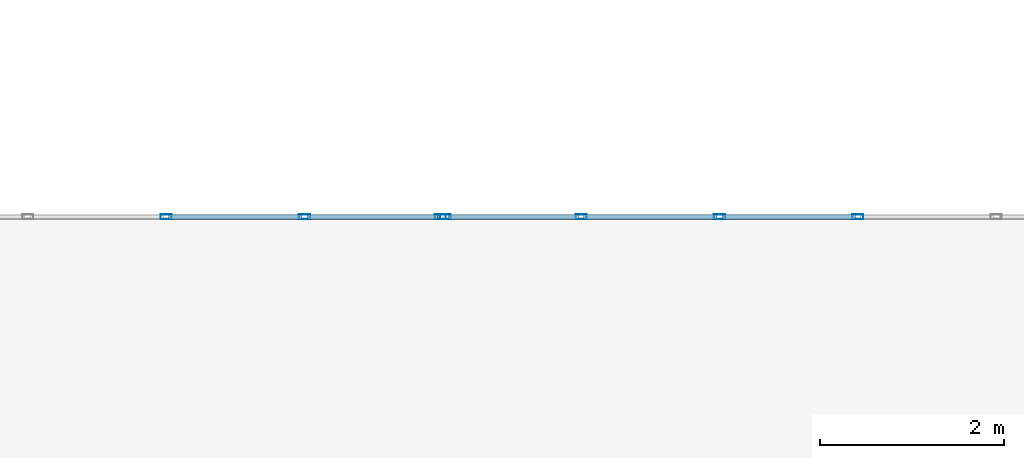
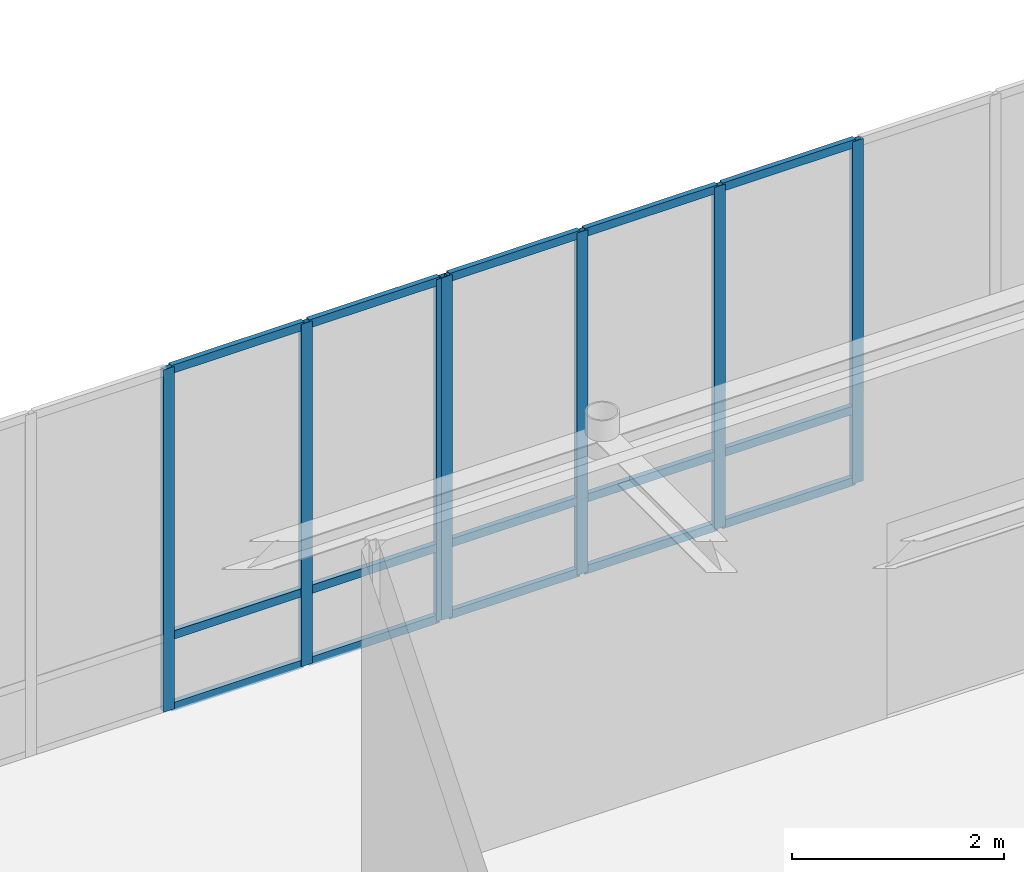
# One storey, part 11 of 36: 22 members, 2 elements without a shape of their own.
"""IFC4 building model written with IfcOpenShell, lengths in metres."""

import ifcopenshell
import ifcopenshell.guid

model = None  # the IFC model being written
_history = None  # IfcOwnerHistory: only IFC2X3 demands one
_inside = {}  # id of a spatial element -> (the spatial element, [elements in it])
_under = {}  # id of a project, library or spatial element -> (it, [spatial elements below it])
_declared = {}  # id of a project -> (the project, [libraries it declares])
_typed = {}  # id of a type object -> (the type object, [elements of that type])
_made_of = {}  # id of a material, layer set ... -> (it, [elements and type objects made of it])


def new_model(schema):
    """Start an empty IFC model of exactly this schema.

    Asked for "IFC4X3", IfcOpenShell would pick the latest addendum, in which some entities
    have other attributes; the version numbers below select the first issue.
    IFC2X3 requires an IfcOwnerHistory on every rooted entity: one is made here for all.
    """
    global model, _history
    if schema == "IFC4X3":
        model = ifcopenshell.file(schema_version=(4, 3, 0, 0))
    else:
        model = ifcopenshell.file(schema=schema)
    _inside.clear()
    _under.clear()
    _declared.clear()
    _typed.clear()
    _made_of.clear()
    _history = None
    if model.schema == "IFC2X3":
        org = make("IfcOrganization", Name="unknown")
        user = make(
            "IfcPersonAndOrganization",
            ThePerson=make("IfcPerson", FamilyName="unknown"),
            TheOrganization=org,
        )
        app = make(
            "IfcApplication",
            ApplicationDeveloper=org,
            Version="unknown",
            ApplicationFullName="unknown",
            ApplicationIdentifier="unknown",
        )
        _history = make(
            "IfcOwnerHistory",
            OwningUser=user,
            OwningApplication=app,
            ChangeAction="ADDED",
            CreationDate=0,
        )
    return model


def make(cls, **values):
    """One entity of the class cls with the attributes given. An attribute that is None is left unset."""
    return model.create_entity(
        cls, **{name: value for name, value in values.items() if value is not None}
    )


def rooted(cls, **values):
    """An entity with a GlobalId (a new one), such as an element, a storey or a relation."""
    return make(cls, GlobalId=ifcopenshell.guid.new(), OwnerHistory=_history, **values)


def si_unit(unit_type, name, prefix=None):
    """IfcSIUnit, for example si_unit("LENGTHUNIT", "METRE", prefix="MILLI")."""
    return make("IfcSIUnit", UnitType=unit_type, Prefix=prefix, Name=name)


def assignment(units):
    """IfcUnitAssignment: the units of a project."""
    return None if units is None else make("IfcUnitAssignment", Units=units)


def point(xyz):
    """IfcCartesianPoint."""
    return None if xyz is None else make("IfcCartesianPoint", Coordinates=xyz)


def direction(xyz):
    """IfcDirection."""
    return None if xyz is None else make("IfcDirection", DirectionRatios=xyz)


def frame(location, z_axis=None, x_axis=None):
    """IfcAxis2Placement3D, a coordinate frame: its origin and axes. An axis left out is left unset."""
    return make(
        "IfcAxis2Placement3D",
        Location=point(location),
        Axis=direction(z_axis),
        RefDirection=direction(x_axis),
    )


def frame_2d(location, x_axis=None):
    """IfcAxis2Placement2D, a coordinate frame in the plane: its origin and x axis."""
    return make(
        "IfcAxis2Placement2D", Location=point(location), RefDirection=direction(x_axis)
    )


def origin():
    """The frame at (0, 0, 0) with its axes left unset."""
    return frame((0.0, 0.0, 0.0))


def origin_2d():
    """The frame at (0, 0) in the plane with its x axis left unset."""
    return frame_2d((0.0, 0.0))


def place(relative_to, where):
    """IfcLocalPlacement: puts the frame where relative to a parent placement (None: the world)."""
    return make(
        "IfcLocalPlacement", PlacementRelTo=relative_to, RelativePlacement=where
    )


def context(
    kind, dimensions, precision=None, world=None, true_north=None, identifier=None
):
    """IfcGeometricRepresentationContext, for example the 3D "Model" context."""
    return make(
        "IfcGeometricRepresentationContext",
        ContextIdentifier=identifier,
        ContextType=kind,
        CoordinateSpaceDimension=dimensions,
        Precision=precision,
        WorldCoordinateSystem=world,
        TrueNorth=true_north,
    )


def subcontext(parent, identifier, kind, view, scale=None):
    """IfcGeometricRepresentationSubContext, for example "Body" below "Model"."""
    return make(
        "IfcGeometricRepresentationSubContext",
        ContextIdentifier=identifier,
        ContextType=kind,
        ParentContext=parent,
        TargetScale=scale,
        TargetView=view,
    )


def project(units=None, contexts=None):
    """IfcProject with its units and contexts."""
    return rooted(
        "IfcProject",
        Name="project",
        RepresentationContexts=contexts,
        UnitsInContext=assignment(units),
    )


def spatial(cls, under=None, at=None, **own):
    """A site, building, storey or space (cls), placed at a placement, below another one or the project."""
    s = rooted(cls, ObjectPlacement=at, **own)
    if under is not None:
        _under.setdefault(under.id(), (under, []))[1].append(s)
    return s


def profile(cls, at=None, kind="AREA", **sizes):
    """A parametric profile (cls). Its sizes go by their IFC names, for example OverallWidth=200.0."""
    return make(cls, ProfileType=kind, Position=at, **sizes)


def hollow_rectangle(**sizes):
    """IfcRectangleHollowProfileDef."""
    return profile("IfcRectangleHollowProfileDef", **sizes)


def extrude(swept, where, along, depth):
    """IfcExtrudedAreaSolid: the profile swept, set in the frame where, extruded along a direction by depth."""
    return make(
        "IfcExtrudedAreaSolid",
        SweptArea=swept,
        Position=where,
        ExtrudedDirection=direction(along),
        Depth=depth,
    )


def shape(context_of_items, identifier, shape_type, items):
    """IfcShapeRepresentation: the items that make up one representation, for example the "Body"."""
    return make(
        "IfcShapeRepresentation",
        ContextOfItems=context_of_items,
        RepresentationIdentifier=identifier,
        RepresentationType=shape_type,
        Items=items,
    )


def material(Name=None, Category=None):
    """IfcMaterial."""
    return make("IfcMaterial", Name=Name, Category=Category)


def material_profile(
    of_material, cross_section, Name=None, Category=None, Priority=None
):
    """IfcMaterialProfile: a cross section and its material."""
    return make(
        "IfcMaterialProfile",
        Name=Name,
        Material=of_material,
        Profile=cross_section,
        Priority=Priority,
        Category=Category,
    )


def profile_set(profiles, Name=None, composite=None):
    """IfcMaterialProfileSet."""
    return make(
        "IfcMaterialProfileSet",
        Name=Name,
        MaterialProfiles=profiles,
        CompositeProfile=composite,
    )


def made_of(thing, what):
    """Note that an element or type object is made of a material, layer set ...; save() writes the relation."""
    if what is not None:
        _made_of.setdefault(what.id(), (what, []))[1].append(thing)
    return thing


def type_object(cls, material=None, **own):
    """A type object (cls), such as IfcWallType, which elements share."""
    return made_of(rooted(cls, **own), material)


def element(
    cls,
    number,
    at=None,
    inside=None,
    cuts=None,
    type_object=None,
    material=None,
    context=None,
    identifier="Body",
    shape_type=None,
    held_by="IfcProductDefinitionShape",
    body=None,
    shapes=None,
    **own,
):
    """One element of the class cls, such as IfcWall. Its Tag is "e" and its number.

    at: its placement. inside: the storey or other place that contains it. cuts: it is an
    opening in that element (IfcRelVoidsElement). A single representation is given by context,
    identifier, shape_type and body (its items); several are given by shapes. held_by: the class
    of the entity that holds the representations. save() writes the other relations.
    """
    e = rooted(cls, Tag="e%d" % number, ObjectPlacement=at, **own)
    if body is not None:
        shapes = [shape(context, identifier, shape_type, body)]
    if shapes is not None:
        e.Representation = make(held_by, Representations=shapes)
    if inside is not None:
        _inside.setdefault(inside.id(), (inside, []))[1].append(e)
    if cuts is not None:
        rooted(
            "IfcRelVoidsElement", RelatingBuildingElement=cuts, RelatedOpeningElement=e
        )
    if type_object is not None:
        _typed.setdefault(type_object.id(), (type_object, []))[1].append(e)
    return made_of(e, material)


def aggregate(whole, parts):
    """IfcRelAggregates: a whole, such as a stair, and the parts it consists of."""
    return rooted("IfcRelAggregates", RelatingObject=whole, RelatedObjects=parts)


def save(model, path):
    """Write the relations noted so far, then the file.

    IfcRelAggregates (storeys below a building ...), IfcRelContainedInSpatialStructure (elements
    in a storey), IfcRelDefinesByType, IfcRelAssociatesMaterial and IfcRelDeclares: one each for
    every whole, place, type object, material and project.
    """
    for whole, parts in _under.values():
        aggregate(whole, parts)
    for where, things in _inside.values():
        rooted(
            "IfcRelContainedInSpatialStructure",
            RelatedElements=things,
            RelatingStructure=where,
        )
    for kind, things in _typed.values():
        rooted("IfcRelDefinesByType", RelatedObjects=things, RelatingType=kind)
    for what, things in _made_of.values():
        rooted("IfcRelAssociatesMaterial", RelatedObjects=things, RelatingMaterial=what)
    for by, libraries in _declared.values():
        rooted("IfcRelDeclares", RelatingContext=by, RelatedDefinitions=libraries)
    model.write(path)


model = new_model("IFC4")

# Units and contexts
model_context = context("Model", 3, precision=1e-05, world=origin(), true_north=direction((0.0, 1.0)))
body_context = subcontext(model_context, "Body", "Model", "MODEL_VIEW")
ifc_project = project(units=[si_unit("LENGTHUNIT", "METRE"), si_unit("AREAUNIT", "SQUARE_METRE"), si_unit("VOLUMEUNIT", "CUBIC_METRE"), si_unit("PLANEANGLEUNIT", "RADIAN"), si_unit("MASSUNIT", "GRAM", prefix="KILO")], contexts=[model_context])

# Site, building, storey
site_placement = place(None, origin())
site = spatial("IfcSite", under=ifc_project, at=site_placement, CompositionType="ELEMENT")
building_placement = place(site_placement, origin())
building = spatial("IfcBuilding", under=site, at=building_placement, Name="Lykobir Media Centre", CompositionType="ELEMENT")
storey_placement = place(building_placement, frame((0.0, 0.0, 27.60009765625)))
storey = spatial("IfcBuildingStorey", under=building, at=storey_placement, Name="L06", CompositionType="ELEMENT", Elevation=27.60009765625)

# Curtain wall, members
ifc_material = material(Name="Anodized Aluminium AW-6060", Category="aluminium")
curtain_wall_type = type_object("IfcCurtainWallType", Name="CW-COURT-B", PredefinedType="NOTDEFINED", material=ifc_material)
curtain_wall_1_placement = place(storey_placement, origin())
curtain_wall_1 = element("IfcCurtainWall", 1, at=curtain_wall_1_placement, inside=storey, type_object=curtain_wall_type, Name="Curtain wall CW2-L06-0206", PredefinedType="NOTDEFINED")
ifc_material_profile_1 = material_profile(ifc_material, hollow_rectangle(XDim=0.054931640625, YDim=0.1201171875, WallThickness=0.003173828125, at=origin_2d()), Name="ALU MULLION 55x120")
ifc_profile_set_1 = profile_set([ifc_material_profile_1], Name="Anodized Aluminium AW-6060")
member_type_1 = type_object("IfcMemberType", Name="CWM-120", PredefinedType="MULLION", material=ifc_profile_set_1)
member_1_placement = place(storey_placement, frame((42.0, 21.0, 0.0), z_axis=(0.0, 0.0, 1.0), x_axis=(0.0, 1.0, 0.0)))
member_1 = element("IfcMember", 2, at=member_1_placement, type_object=member_type_1, Name="CW2-L06-0206 mullion 5", PredefinedType="MULLION", context=body_context, shape_type="SweptSolid", body=[
    extrude(hollow_rectangle(XDim=0.054931640625, YDim=0.1201171875, WallThickness=0.003173828125, at=origin_2d()), origin(), (0.0, 0.0, 1.0), 3.93994140625),
])
member_2_placement = place(storey_placement, frame((43.5, 21.0, 0.0), z_axis=(0.0, 0.0, 1.0), x_axis=(0.0, 1.0, 0.0)))
member_2 = element("IfcMember", 3, at=member_2_placement, type_object=member_type_1, Name="CW2-L06-0206 mullion 6", PredefinedType="MULLION", context=body_context, shape_type="SweptSolid", body=[
    extrude(hollow_rectangle(XDim=0.054931640625, YDim=0.1201171875, WallThickness=0.003173828125, at=origin_2d()), origin(), (0.0, 0.0, 1.0), 3.93994140625),
])
member_3_placement = place(storey_placement, frame((44.972412109375, 21.0, 0.0), z_axis=(0.0, 0.0, 1.0), x_axis=(0.0, 1.0, 0.0)))
member_3 = element("IfcMember", 4, at=member_3_placement, type_object=member_type_1, Name="CW2-L06-0206 mullion 7", PredefinedType="MULLION", context=body_context, shape_type="SweptSolid", body=[
    extrude(hollow_rectangle(XDim=0.054931640625, YDim=0.1201171875, WallThickness=0.003173828125, at=origin_2d()), origin(), (0.0, 0.0, 1.0), 3.93994140625),
])

curtain_wall_2_placement = place(storey_placement, origin())
curtain_wall_2 = element("IfcCurtainWall", 5, at=curtain_wall_2_placement, inside=storey, type_object=curtain_wall_type, Name="Curtain wall CW2-L06-0207", PredefinedType="NOTDEFINED")
member_4_placement = place(storey_placement, frame((45.027587890625, 21.0, 0.0), z_axis=(0.0, 0.0, 1.0), x_axis=(0.0, 1.0, 0.0)))
member_4 = element("IfcMember", 6, at=member_4_placement, type_object=member_type_1, Name="CW2-L06-0207 mullion 1", PredefinedType="MULLION", context=body_context, shape_type="SweptSolid", body=[
    extrude(hollow_rectangle(XDim=0.054931640625, YDim=0.1201171875, WallThickness=0.003173828125, at=origin_2d()), origin(), (0.0, 0.0, 1.0), 3.93994140625),
])
member_5_placement = place(storey_placement, frame((46.5, 21.0, 0.0), z_axis=(0.0, 0.0, 1.0), x_axis=(0.0, 1.0, 0.0)))
member_5 = element("IfcMember", 7, at=member_5_placement, type_object=member_type_1, Name="CW2-L06-0207 mullion 2", PredefinedType="MULLION", context=body_context, shape_type="SweptSolid", body=[
    extrude(hollow_rectangle(XDim=0.054931640625, YDim=0.1201171875, WallThickness=0.003173828125, at=origin_2d()), origin(), (0.0, 0.0, 1.0), 3.93994140625),
])
member_6_placement = place(storey_placement, frame((48.0, 21.0, 0.0), z_axis=(0.0, 0.0, 1.0), x_axis=(0.0, 1.0, 0.0)))
member_6 = element("IfcMember", 8, at=member_6_placement, type_object=member_type_1, Name="CW2-L06-0207 mullion 3", PredefinedType="MULLION", context=body_context, shape_type="SweptSolid", body=[
    extrude(hollow_rectangle(XDim=0.054931640625, YDim=0.1201171875, WallThickness=0.003173828125, at=origin_2d()), origin(), (0.0, 0.0, 1.0), 3.93994140625),
])
member_7_placement = place(storey_placement, frame((49.5, 21.0, 0.0), z_axis=(0.0, 0.0, 1.0), x_axis=(0.0, 1.0, 0.0)))
member_7 = element("IfcMember", 9, at=member_7_placement, type_object=member_type_1, Name="CW2-L06-0207 mullion 4", PredefinedType="MULLION", context=body_context, shape_type="SweptSolid", body=[
    extrude(hollow_rectangle(XDim=0.054931640625, YDim=0.1201171875, WallThickness=0.003173828125, at=origin_2d()), origin(), (0.0, 0.0, 1.0), 3.93994140625),
])

# Member
ifc_material_profile_2 = material_profile(ifc_material, hollow_rectangle(XDim=0.054931640625, YDim=0.094970703125, WallThickness=0.0029296875, at=origin_2d()), Name="ALU TRANSOM 55x95")
ifc_profile_set_2 = profile_set([ifc_material_profile_2], Name="Anodized Aluminium AW-6060")
member_type_2 = type_object("IfcMemberType", Name="CWT-095", PredefinedType="USERDEFINED", material=ifc_profile_set_2)
member_8_placement = place(storey_placement, frame((42.027587890625, 21.0, 0.02734375), z_axis=(1.0, 0.0, 0.0), x_axis=(0.0, 1.0, 0.0)))
member_8 = element("IfcMember", 10, at=member_8_placement, type_object=member_type_2, Name="CW2-L06-0206 transom 5.1", ObjectType="TRANSOM", PredefinedType="USERDEFINED", context=body_context, shape_type="SweptSolid", body=[
    extrude(hollow_rectangle(XDim=0.054931640625, YDim=0.094970703125, WallThickness=0.0029296875, at=origin_2d()), origin(), (0.0, 0.0, 1.0), 1.44482421875),
])

member_9_placement = place(storey_placement, frame((42.027587890625, 21.0, 0.849853515625), z_axis=(1.0, 0.0, 0.0), x_axis=(0.0, 1.0, 0.0)))
member_9 = element("IfcMember", 11, at=member_9_placement, type_object=member_type_2, Name="CW2-L06-0206 transom 5.2", ObjectType="TRANSOM", PredefinedType="USERDEFINED", context=body_context, shape_type="SweptSolid", body=[
    extrude(hollow_rectangle(XDim=0.054931640625, YDim=0.094970703125, WallThickness=0.0029296875, at=origin_2d()), origin(), (0.0, 0.0, 1.0), 1.44482421875),
])

member_10_placement = place(storey_placement, frame((42.027587890625, 21.0, 3.912353515625), z_axis=(1.0, 0.0, 0.0), x_axis=(0.0, 1.0, 0.0)))
member_10 = element("IfcMember", 12, at=member_10_placement, type_object=member_type_2, Name="CW2-L06-0206 transom 5.3", ObjectType="TRANSOM", PredefinedType="USERDEFINED", context=body_context, shape_type="SweptSolid", body=[
    extrude(hollow_rectangle(XDim=0.054931640625, YDim=0.094970703125, WallThickness=0.0029296875, at=origin_2d()), origin(), (0.0, 0.0, 1.0), 1.44482421875),
])

member_11_placement = place(storey_placement, frame((43.527587890625, 21.0, 0.02734375), z_axis=(1.0, 0.0, 0.0), x_axis=(0.0, 1.0, 0.0)))
member_11 = element("IfcMember", 13, at=member_11_placement, type_object=member_type_2, Name="CW2-L06-0206 transom 6.1", ObjectType="TRANSOM", PredefinedType="USERDEFINED", context=body_context, shape_type="SweptSolid", body=[
    extrude(hollow_rectangle(XDim=0.054931640625, YDim=0.094970703125, WallThickness=0.0029296875, at=origin_2d()), origin(), (0.0, 0.0, 1.0), 1.41748046875),
])

member_12_placement = place(storey_placement, frame((43.527587890625, 21.0, 0.849853515625), z_axis=(1.0, 0.0, 0.0), x_axis=(0.0, 1.0, 0.0)))
member_12 = element("IfcMember", 14, at=member_12_placement, type_object=member_type_2, Name="CW2-L06-0206 transom 6.2", ObjectType="TRANSOM", PredefinedType="USERDEFINED", context=body_context, shape_type="SweptSolid", body=[
    extrude(hollow_rectangle(XDim=0.054931640625, YDim=0.094970703125, WallThickness=0.0029296875, at=origin_2d()), origin(), (0.0, 0.0, 1.0), 1.41748046875),
])

member_13_placement = place(storey_placement, frame((43.527587890625, 21.0, 3.912353515625), z_axis=(1.0, 0.0, 0.0), x_axis=(0.0, 1.0, 0.0)))
member_13 = element("IfcMember", 15, at=member_13_placement, type_object=member_type_2, Name="CW2-L06-0206 transom 6.3", ObjectType="TRANSOM", PredefinedType="USERDEFINED", context=body_context, shape_type="SweptSolid", body=[
    extrude(hollow_rectangle(XDim=0.054931640625, YDim=0.094970703125, WallThickness=0.0029296875, at=origin_2d()), origin(), (0.0, 0.0, 1.0), 1.41748046875),
])

aggregate(curtain_wall_1, [member_1, member_2, member_3, member_8, member_9, member_10, member_11, member_12, member_13])

member_14_placement = place(storey_placement, frame((45.054931640625, 21.0, 0.02734375), z_axis=(1.0, 0.0, 0.0), x_axis=(0.0, 1.0, 0.0)))
member_14 = element("IfcMember", 16, at=member_14_placement, type_object=member_type_2, Name="CW2-L06-0207 transom 1.1", ObjectType="TRANSOM", PredefinedType="USERDEFINED", context=body_context, shape_type="SweptSolid", body=[
    extrude(hollow_rectangle(XDim=0.054931640625, YDim=0.094970703125, WallThickness=0.0029296875, at=origin_2d()), origin(), (0.0, 0.0, 1.0), 1.41748046875),
])

member_15_placement = place(storey_placement, frame((45.054931640625, 21.0, 0.849853515625), z_axis=(1.0, 0.0, 0.0), x_axis=(0.0, 1.0, 0.0)))
member_15 = element("IfcMember", 17, at=member_15_placement, type_object=member_type_2, Name="CW2-L06-0207 transom 1.2", ObjectType="TRANSOM", PredefinedType="USERDEFINED", context=body_context, shape_type="SweptSolid", body=[
    extrude(hollow_rectangle(XDim=0.054931640625, YDim=0.094970703125, WallThickness=0.0029296875, at=origin_2d()), origin(), (0.0, 0.0, 1.0), 1.41748046875),
])

member_16_placement = place(storey_placement, frame((45.054931640625, 21.0, 3.912353515625), z_axis=(1.0, 0.0, 0.0), x_axis=(0.0, 1.0, 0.0)))
member_16 = element("IfcMember", 18, at=member_16_placement, type_object=member_type_2, Name="CW2-L06-0207 transom 1.3", ObjectType="TRANSOM", PredefinedType="USERDEFINED", context=body_context, shape_type="SweptSolid", body=[
    extrude(hollow_rectangle(XDim=0.054931640625, YDim=0.094970703125, WallThickness=0.0029296875, at=origin_2d()), origin(), (0.0, 0.0, 1.0), 1.41748046875),
])

member_17_placement = place(storey_placement, frame((46.527587890625, 21.0, 0.02734375), z_axis=(1.0, 0.0, 0.0), x_axis=(0.0, 1.0, 0.0)))
member_17 = element("IfcMember", 19, at=member_17_placement, type_object=member_type_2, Name="CW2-L06-0207 transom 2.1", ObjectType="TRANSOM", PredefinedType="USERDEFINED", context=body_context, shape_type="SweptSolid", body=[
    extrude(hollow_rectangle(XDim=0.054931640625, YDim=0.094970703125, WallThickness=0.0029296875, at=origin_2d()), origin(), (0.0, 0.0, 1.0), 1.44482421875),
])

member_18_placement = place(storey_placement, frame((46.527587890625, 21.0, 0.849853515625), z_axis=(1.0, 0.0, 0.0), x_axis=(0.0, 1.0, 0.0)))
member_18 = element("IfcMember", 20, at=member_18_placement, type_object=member_type_2, Name="CW2-L06-0207 transom 2.2", ObjectType="TRANSOM", PredefinedType="USERDEFINED", context=body_context, shape_type="SweptSolid", body=[
    extrude(hollow_rectangle(XDim=0.054931640625, YDim=0.094970703125, WallThickness=0.0029296875, at=origin_2d()), origin(), (0.0, 0.0, 1.0), 1.44482421875),
])

member_19_placement = place(storey_placement, frame((46.527587890625, 21.0, 3.912353515625), z_axis=(1.0, 0.0, 0.0), x_axis=(0.0, 1.0, 0.0)))
member_19 = element("IfcMember", 21, at=member_19_placement, type_object=member_type_2, Name="CW2-L06-0207 transom 2.3", ObjectType="TRANSOM", PredefinedType="USERDEFINED", context=body_context, shape_type="SweptSolid", body=[
    extrude(hollow_rectangle(XDim=0.054931640625, YDim=0.094970703125, WallThickness=0.0029296875, at=origin_2d()), origin(), (0.0, 0.0, 1.0), 1.44482421875),
])

member_20_placement = place(storey_placement, frame((48.027587890625, 21.0, 0.02734375), z_axis=(1.0, 0.0, 0.0), x_axis=(0.0, 1.0, 0.0)))
member_20 = element("IfcMember", 22, at=member_20_placement, type_object=member_type_2, Name="CW2-L06-0207 transom 3.1", ObjectType="TRANSOM", PredefinedType="USERDEFINED", context=body_context, shape_type="SweptSolid", body=[
    extrude(hollow_rectangle(XDim=0.054931640625, YDim=0.094970703125, WallThickness=0.0029296875, at=origin_2d()), origin(), (0.0, 0.0, 1.0), 1.44482421875),
])

member_21_placement = place(storey_placement, frame((48.027587890625, 21.0, 0.849853515625), z_axis=(1.0, 0.0, 0.0), x_axis=(0.0, 1.0, 0.0)))
member_21 = element("IfcMember", 23, at=member_21_placement, type_object=member_type_2, Name="CW2-L06-0207 transom 3.2", ObjectType="TRANSOM", PredefinedType="USERDEFINED", context=body_context, shape_type="SweptSolid", body=[
    extrude(hollow_rectangle(XDim=0.054931640625, YDim=0.094970703125, WallThickness=0.0029296875, at=origin_2d()), origin(), (0.0, 0.0, 1.0), 1.44482421875),
])

member_22_placement = place(storey_placement, frame((48.027587890625, 21.0, 3.912353515625), z_axis=(1.0, 0.0, 0.0), x_axis=(0.0, 1.0, 0.0)))
member_22 = element("IfcMember", 24, at=member_22_placement, type_object=member_type_2, Name="CW2-L06-0207 transom 3.3", ObjectType="TRANSOM", PredefinedType="USERDEFINED", context=body_context, shape_type="SweptSolid", body=[
    extrude(hollow_rectangle(XDim=0.054931640625, YDim=0.094970703125, WallThickness=0.0029296875, at=origin_2d()), origin(), (0.0, 0.0, 1.0), 1.44482421875),
])

aggregate(curtain_wall_2, [member_4, member_5, member_6, member_7, member_14, member_15, member_16, member_17, member_18, member_19, member_20, member_21, member_22])

save(model, "model.ifc")
